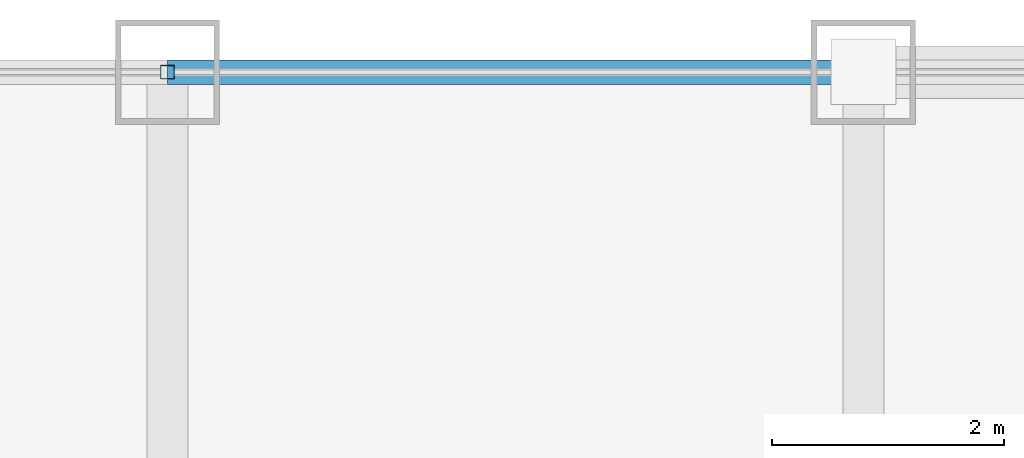
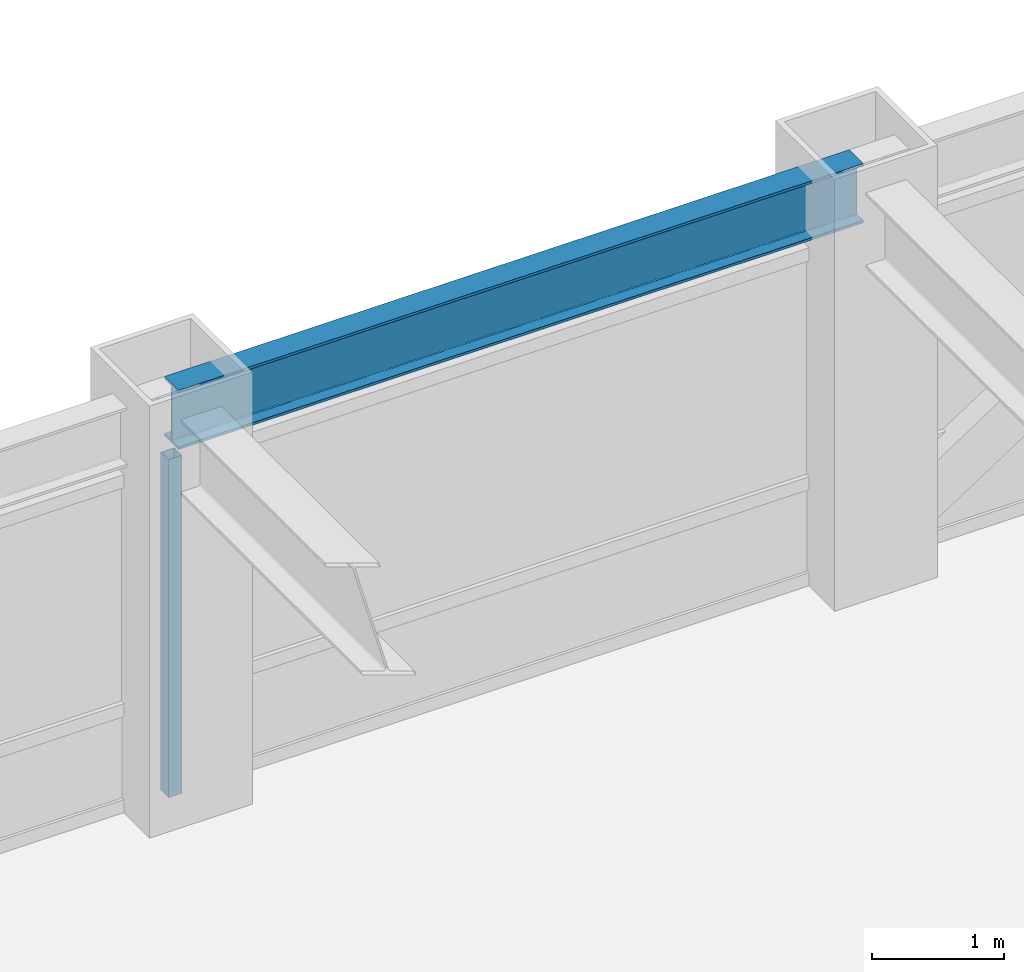
# One storey, part 14 of 22: 1 beam, 1 member, 1 element without a shape of its own.
"""IFC4 building model written with IfcOpenShell, lengths in metres."""

from ifc_helpers import new_model, si_unit, direction, frame, origin, origin_2d, place, context, subcontext, project, spatial, hollow_rectangle, i_section, extrude, source, transform, mapped, material, material_profile, profile_set, type_object, element, aggregate, save


model = new_model("IFC4")

# Units and contexts
model_context = context("Model", 3, precision=1e-05, world=origin(), true_north=direction((0.0, 1.0)))
body_context = subcontext(model_context, "Body", "Model", "MODEL_VIEW")
ifc_project = project(units=[si_unit("LENGTHUNIT", "METRE"), si_unit("AREAUNIT", "SQUARE_METRE"), si_unit("VOLUMEUNIT", "CUBIC_METRE"), si_unit("PLANEANGLEUNIT", "RADIAN"), si_unit("MASSUNIT", "GRAM", prefix="KILO")], contexts=[model_context])

# Site, building, storey
site_placement = place(None, origin())
site = spatial("IfcSite", under=ifc_project, at=site_placement, CompositionType="ELEMENT")
building_placement = place(site_placement, origin())
building = spatial("IfcBuilding", under=site, at=building_placement, Name="Khorayat Bourse Tower", CompositionType="ELEMENT")
storey_placement = place(building_placement, frame((0.0, 0.0, 289.5)))
storey = spatial("IfcBuildingStorey", under=building, at=storey_placement, Name="L68", CompositionType="ELEMENT", Elevation=289.5)

# Beam
ifc_material_1 = material(Name="Steel ASTM A992 Grade 50", Category="steel")
ifc_material_profile_1 = material_profile(ifc_material_1, i_section(OverallWidth=0.214111328125, OverallDepth=0.549072265625, WebThickness=0.0146484375, FlangeThickness=0.023681640625, FilletRadius=0.013916015625, at=origin_2d()), Name="W530X138")
ifc_profile_set_1 = profile_set([ifc_material_profile_1], Name="Steel ASTM A992 Grade 50")
beam_type = type_object("IfcBeamType", Name="BM-SPAN-530", PredefinedType="SPANDREL", material=ifc_profile_set_1)
shared_shape_1 = source(origin(), body_context, "Body", "SweptSolid", [
    extrude(i_section(OverallWidth=0.214111328125, OverallDepth=0.549072265625, WebThickness=0.0146484375, FlangeThickness=0.023681640625, FilletRadius=0.013916015625, at=origin_2d()), origin(), (0.0, 0.0, 1.0), 6.0),
])
beam_placement = place(storey_placement, frame((0.0, 28.0, 3.505615234375), z_axis=(1.0, 0.0, 0.0), x_axis=(0.0, 1.0, 0.0)))
element("IfcBeam", 1, at=beam_placement, inside=storey, type_object=beam_type, Name="L68 BM-SPAN-530 BM-L68-SPN-047", PredefinedType="SPANDREL", context=body_context, shape_type="MappedRepresentation", body=[
    mapped(shared_shape_1, transform((0.0, 0.0, 0.0), scale=1.0)),
])

# Curtain wall, member
ifc_material_2 = material(Name="Aluminium EN AW-6063 T6", Category="aluminium")
curtain_wall_type = type_object("IfcCurtainWallType", Name="CW-SYS-04", PredefinedType="NOTDEFINED", material=ifc_material_2)
curtain_wall_placement = place(storey_placement, origin())
curtain_wall = element("IfcCurtainWall", 2, at=curtain_wall_placement, inside=storey, type_object=curtain_wall_type, Name="L68 Curtain Wall CW-L68-N1", PredefinedType="NOTDEFINED")
ifc_material_profile_2 = material_profile(ifc_material_2, hollow_rectangle(XDim=0.1201171875, YDim=0.1201171875, WallThickness=0.0048828125, at=origin_2d()), Name="ALU 120x120x5")
ifc_profile_set_2 = profile_set([ifc_material_profile_2], Name="Aluminium EN AW-6063 T6")
member_type = type_object("IfcMemberType", Name="CWM-VERT-120", PredefinedType="MULLION", material=ifc_profile_set_2)
shared_shape_2 = source(origin(), body_context, "Body", "SweptSolid", [
    extrude(hollow_rectangle(XDim=0.1201171875, YDim=0.1201171875, WallThickness=0.0048828125, at=origin_2d()), origin(), (0.0, 0.0, 1.0), 3.1298828125),
])
member_placement = place(storey_placement, frame((0.0, 28.0, 0.0), z_axis=(0.0, 0.0, 1.0), x_axis=(0.0, 1.0, 0.0)))
member = element("IfcMember", 3, at=member_placement, type_object=member_type, Name="CW-L68-N1 Vertical Mullion 2", PredefinedType="MULLION", context=body_context, shape_type="MappedRepresentation", body=[
    mapped(shared_shape_2, transform((0.0, 0.0, 0.0), scale=1.0)),
])
aggregate(curtain_wall, [member])

save(model, "model.ifc")
